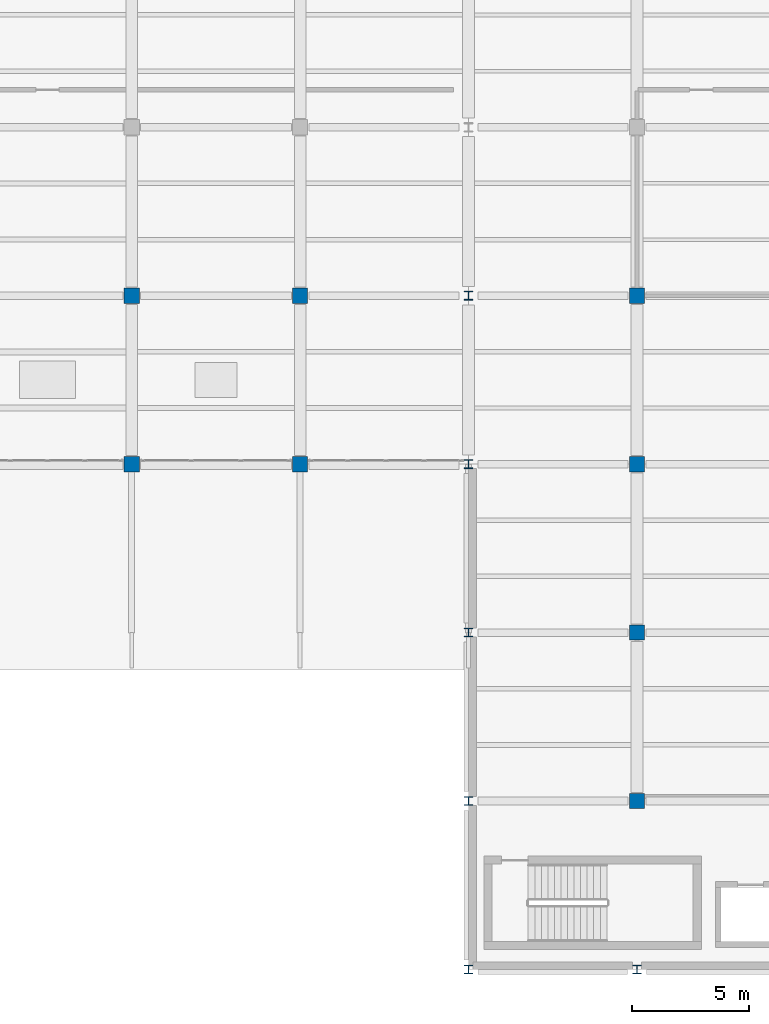
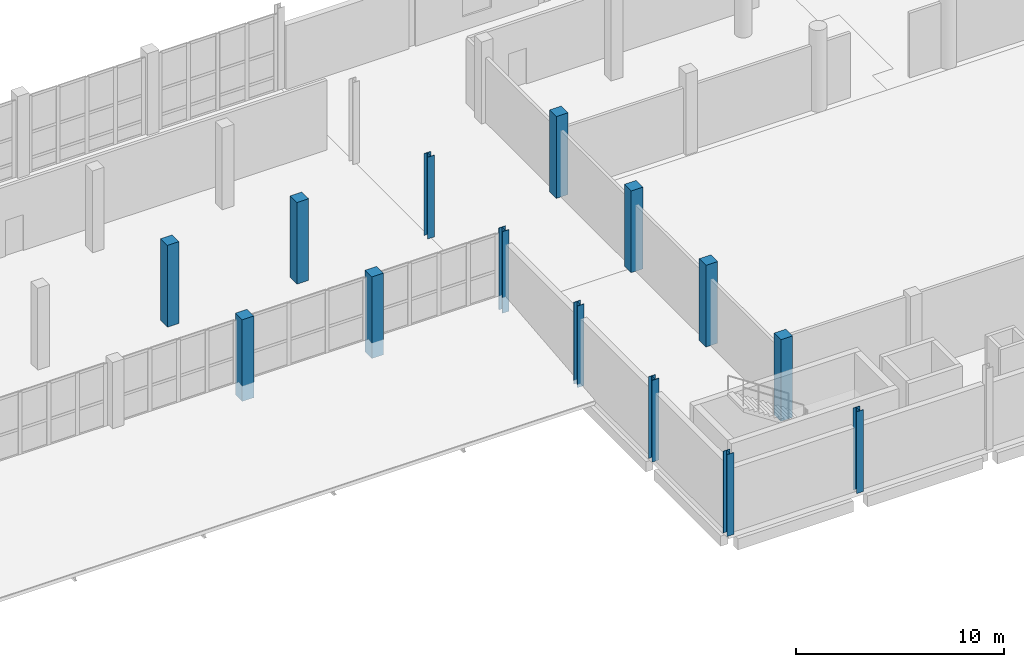
# One storey, part 2 of 127: 14 columns.
"""IFC4 building model written with IfcOpenShell, lengths in metres."""

import ifcopenshell
import ifcopenshell.guid

model = None  # the IFC model being written
_history = None  # IfcOwnerHistory: only IFC2X3 demands one
_inside = {}  # id of a spatial element -> (the spatial element, [elements in it])
_under = {}  # id of a project, library or spatial element -> (it, [spatial elements below it])
_declared = {}  # id of a project -> (the project, [libraries it declares])
_typed = {}  # id of a type object -> (the type object, [elements of that type])
_made_of = {}  # id of a material, layer set ... -> (it, [elements and type objects made of it])


def new_model(schema):
    """Start an empty IFC model of exactly this schema.

    Asked for "IFC4X3", IfcOpenShell would pick the latest addendum, in which some entities
    have other attributes; the version numbers below select the first issue.
    IFC2X3 requires an IfcOwnerHistory on every rooted entity: one is made here for all.
    """
    global model, _history
    if schema == "IFC4X3":
        model = ifcopenshell.file(schema_version=(4, 3, 0, 0))
    else:
        model = ifcopenshell.file(schema=schema)
    _inside.clear()
    _under.clear()
    _declared.clear()
    _typed.clear()
    _made_of.clear()
    _history = None
    if model.schema == "IFC2X3":
        org = make("IfcOrganization", Name="unknown")
        user = make(
            "IfcPersonAndOrganization",
            ThePerson=make("IfcPerson", FamilyName="unknown"),
            TheOrganization=org,
        )
        app = make(
            "IfcApplication",
            ApplicationDeveloper=org,
            Version="unknown",
            ApplicationFullName="unknown",
            ApplicationIdentifier="unknown",
        )
        _history = make(
            "IfcOwnerHistory",
            OwningUser=user,
            OwningApplication=app,
            ChangeAction="ADDED",
            CreationDate=0,
        )
    return model


def make(cls, **values):
    """One entity of the class cls with the attributes given. An attribute that is None is left unset."""
    return model.create_entity(
        cls, **{name: value for name, value in values.items() if value is not None}
    )


def rooted(cls, **values):
    """An entity with a GlobalId (a new one), such as an element, a storey or a relation."""
    return make(cls, GlobalId=ifcopenshell.guid.new(), OwnerHistory=_history, **values)


def si_unit(unit_type, name, prefix=None):
    """IfcSIUnit, for example si_unit("LENGTHUNIT", "METRE", prefix="MILLI")."""
    return make("IfcSIUnit", UnitType=unit_type, Prefix=prefix, Name=name)


def assignment(units):
    """IfcUnitAssignment: the units of a project."""
    return None if units is None else make("IfcUnitAssignment", Units=units)


def point(xyz):
    """IfcCartesianPoint."""
    return None if xyz is None else make("IfcCartesianPoint", Coordinates=xyz)


def direction(xyz):
    """IfcDirection."""
    return None if xyz is None else make("IfcDirection", DirectionRatios=xyz)


def frame(location, z_axis=None, x_axis=None):
    """IfcAxis2Placement3D, a coordinate frame: its origin and axes. An axis left out is left unset."""
    return make(
        "IfcAxis2Placement3D",
        Location=point(location),
        Axis=direction(z_axis),
        RefDirection=direction(x_axis),
    )


def frame_2d(location, x_axis=None):
    """IfcAxis2Placement2D, a coordinate frame in the plane: its origin and x axis."""
    return make(
        "IfcAxis2Placement2D", Location=point(location), RefDirection=direction(x_axis)
    )


def origin():
    """The frame at (0, 0, 0) with its axes left unset."""
    return frame((0.0, 0.0, 0.0))


def origin_2d():
    """The frame at (0, 0) in the plane with its x axis left unset."""
    return frame_2d((0.0, 0.0))


def place(relative_to, where):
    """IfcLocalPlacement: puts the frame where relative to a parent placement (None: the world)."""
    return make(
        "IfcLocalPlacement", PlacementRelTo=relative_to, RelativePlacement=where
    )


def context(
    kind, dimensions, precision=None, world=None, true_north=None, identifier=None
):
    """IfcGeometricRepresentationContext, for example the 3D "Model" context."""
    return make(
        "IfcGeometricRepresentationContext",
        ContextIdentifier=identifier,
        ContextType=kind,
        CoordinateSpaceDimension=dimensions,
        Precision=precision,
        WorldCoordinateSystem=world,
        TrueNorth=true_north,
    )


def subcontext(parent, identifier, kind, view, scale=None):
    """IfcGeometricRepresentationSubContext, for example "Body" below "Model"."""
    return make(
        "IfcGeometricRepresentationSubContext",
        ContextIdentifier=identifier,
        ContextType=kind,
        ParentContext=parent,
        TargetScale=scale,
        TargetView=view,
    )


def project(units=None, contexts=None):
    """IfcProject with its units and contexts."""
    return rooted(
        "IfcProject",
        Name="project",
        RepresentationContexts=contexts,
        UnitsInContext=assignment(units),
    )


def spatial(cls, under=None, at=None, **own):
    """A site, building, storey or space (cls), placed at a placement, below another one or the project."""
    s = rooted(cls, ObjectPlacement=at, **own)
    if under is not None:
        _under.setdefault(under.id(), (under, []))[1].append(s)
    return s


def profile(cls, at=None, kind="AREA", **sizes):
    """A parametric profile (cls). Its sizes go by their IFC names, for example OverallWidth=200.0."""
    return make(cls, ProfileType=kind, Position=at, **sizes)


def rectangle(**sizes):
    """IfcRectangleProfileDef."""
    return profile("IfcRectangleProfileDef", **sizes)


def i_section(**sizes):
    """IfcIShapeProfileDef."""
    return profile("IfcIShapeProfileDef", **sizes)


def extrude(swept, where, along, depth):
    """IfcExtrudedAreaSolid: the profile swept, set in the frame where, extruded along a direction by depth."""
    return make(
        "IfcExtrudedAreaSolid",
        SweptArea=swept,
        Position=where,
        ExtrudedDirection=direction(along),
        Depth=depth,
    )


def shape(context_of_items, identifier, shape_type, items):
    """IfcShapeRepresentation: the items that make up one representation, for example the "Body"."""
    return make(
        "IfcShapeRepresentation",
        ContextOfItems=context_of_items,
        RepresentationIdentifier=identifier,
        RepresentationType=shape_type,
        Items=items,
    )


def material(Name=None, Category=None):
    """IfcMaterial."""
    return make("IfcMaterial", Name=Name, Category=Category)


def material_profile(
    of_material, cross_section, Name=None, Category=None, Priority=None
):
    """IfcMaterialProfile: a cross section and its material."""
    return make(
        "IfcMaterialProfile",
        Name=Name,
        Material=of_material,
        Profile=cross_section,
        Priority=Priority,
        Category=Category,
    )


def profile_set(profiles, Name=None, composite=None):
    """IfcMaterialProfileSet."""
    return make(
        "IfcMaterialProfileSet",
        Name=Name,
        MaterialProfiles=profiles,
        CompositeProfile=composite,
    )


def made_of(thing, what):
    """Note that an element or type object is made of a material, layer set ...; save() writes the relation."""
    if what is not None:
        _made_of.setdefault(what.id(), (what, []))[1].append(thing)
    return thing


def type_object(cls, material=None, **own):
    """A type object (cls), such as IfcWallType, which elements share."""
    return made_of(rooted(cls, **own), material)


def element(
    cls,
    number,
    at=None,
    inside=None,
    cuts=None,
    type_object=None,
    material=None,
    context=None,
    identifier="Body",
    shape_type=None,
    held_by="IfcProductDefinitionShape",
    body=None,
    shapes=None,
    **own,
):
    """One element of the class cls, such as IfcWall. Its Tag is "e" and its number.

    at: its placement. inside: the storey or other place that contains it. cuts: it is an
    opening in that element (IfcRelVoidsElement). A single representation is given by context,
    identifier, shape_type and body (its items); several are given by shapes. held_by: the class
    of the entity that holds the representations. save() writes the other relations.
    """
    e = rooted(cls, Tag="e%d" % number, ObjectPlacement=at, **own)
    if body is not None:
        shapes = [shape(context, identifier, shape_type, body)]
    if shapes is not None:
        e.Representation = make(held_by, Representations=shapes)
    if inside is not None:
        _inside.setdefault(inside.id(), (inside, []))[1].append(e)
    if cuts is not None:
        rooted(
            "IfcRelVoidsElement", RelatingBuildingElement=cuts, RelatedOpeningElement=e
        )
    if type_object is not None:
        _typed.setdefault(type_object.id(), (type_object, []))[1].append(e)
    return made_of(e, material)


def aggregate(whole, parts):
    """IfcRelAggregates: a whole, such as a stair, and the parts it consists of."""
    return rooted("IfcRelAggregates", RelatingObject=whole, RelatedObjects=parts)


def save(model, path):
    """Write the relations noted so far, then the file.

    IfcRelAggregates (storeys below a building ...), IfcRelContainedInSpatialStructure (elements
    in a storey), IfcRelDefinesByType, IfcRelAssociatesMaterial and IfcRelDeclares: one each for
    every whole, place, type object, material and project.
    """
    for whole, parts in _under.values():
        aggregate(whole, parts)
    for where, things in _inside.values():
        rooted(
            "IfcRelContainedInSpatialStructure",
            RelatedElements=things,
            RelatingStructure=where,
        )
    for kind, things in _typed.values():
        rooted("IfcRelDefinesByType", RelatedObjects=things, RelatingType=kind)
    for what, things in _made_of.values():
        rooted("IfcRelAssociatesMaterial", RelatedObjects=things, RelatingMaterial=what)
    for by, libraries in _declared.values():
        rooted("IfcRelDeclares", RelatingContext=by, RelatedDefinitions=libraries)
    model.write(path)


model = new_model("IFC4")

# Units and contexts
model_context = context("Model", 3, precision=1e-05, world=origin(), true_north=direction((0.0, 1.0)))
body_context = subcontext(model_context, "Body", "Model", "MODEL_VIEW")
ifc_project = project(units=[si_unit("LENGTHUNIT", "METRE"), si_unit("AREAUNIT", "SQUARE_METRE"), si_unit("VOLUMEUNIT", "CUBIC_METRE"), si_unit("PLANEANGLEUNIT", "RADIAN"), si_unit("MASSUNIT", "GRAM", prefix="KILO")], contexts=[model_context])

# Site, building, storey
site_placement = place(None, origin())
site = spatial("IfcSite", under=ifc_project, at=site_placement, CompositionType="ELEMENT")
building_placement = place(site_placement, origin())
building = spatial("IfcBuilding", under=site, at=building_placement, Name="Kalmorath City Hall", CompositionType="ELEMENT")
storey_placement = place(building_placement, frame((0.0, 0.0, 5.39990234375)))
storey = spatial("IfcBuildingStorey", under=building, at=storey_placement, Name="L01", CompositionType="ELEMENT", Elevation=5.39990234375)

# Columns
ifc_material_1 = material(Name="Concrete C50/60", Category="concrete")
ifc_material_profile_1 = material_profile(ifc_material_1, rectangle(XDim=0.64990234375, YDim=0.64990234375, at=origin_2d()), Name="RC-COL-650X650")
ifc_profile_set_1 = profile_set([ifc_material_profile_1], Name="Concrete C50/60")
column_type_1 = type_object("IfcColumnType", Name="Concrete column 650x650", PredefinedType="COLUMN", material=ifc_profile_set_1)
for number, where, z_axis, x_axis, name in (
    (1, (100.800048828125, 21.60009765625, 0.0), (0.0, 0.0, 1.0), (1.0, 0.0, 0.0), "L01 column C5 (15/4)"),
    (2, (100.800048828125, 28.800048828125, 0.0), (0.0, 0.0, 1.0), (1.0, 0.0, 0.0), "L01 column C5 (15/5)"),
    (3, (108.0, 21.60009765625, 0.0), (0.0, 0.0, 1.0), (1.0, 0.0, 0.0), "L01 column C5 (16/4)"),
    (4, (108.0, 28.800048828125, 0.0), (0.0, 0.0, 1.0), (1.0, 0.0, 0.0), "L01 column C5 (16/5)"),
    (5, (122.39990234375, 7.199951171875, 0.0), (0.0, 0.0, 1.0), (1.0, 0.0, 0.0), "L01 column C5 (18/2)"),
    (6, (122.39990234375, 14.39990234375, 0.0), (0.0, 0.0, 1.0), (1.0, 0.0, 0.0), "L01 column C5 (18/3)"),
    (7, (122.39990234375, 21.60009765625, 0.0), (0.0, 0.0, 1.0), (1.0, 0.0, 0.0), "L01 column C5 (18/4)"),
    (8, (122.39990234375, 28.800048828125, 0.0), (0.0, 0.0, 1.0), (1.0, 0.0, 0.0), "L01 column C5 (18/5)"),
):
    element("IfcColumn", number, at=place(storey_placement, frame(where, z_axis=z_axis, x_axis=x_axis)), inside=storey, type_object=column_type_1, Name=name, PredefinedType="COLUMN", context=body_context, shape_type="SweptSolid", body=[
        extrude(rectangle(XDim=0.64990234375, YDim=0.64990234375, at=origin_2d()), origin(), (0.0, 0.0, 1.0), 4.800048828125),
    ])
ifc_material_2 = material(Name="Steel ASTM A992 Grade 50", Category="steel")
ifc_material_profile_2 = material_profile(ifc_material_2, i_section(OverallWidth=0.3740234375, OverallDepth=0.3720703125, WebThickness=0.016357421875, FlangeThickness=0.026123046875, FilletRadius=0.01806640625, at=origin_2d()), Name="W14X132")
ifc_profile_set_2 = profile_set([ifc_material_profile_2], Name="Steel ASTM A992 Grade 50")
column_type_2 = type_object("IfcColumnType", Name="Steel wide-flange column W14X132", PredefinedType="COLUMN", material=ifc_profile_set_2)
for number, where, z_axis, x_axis, name in (
    (9, (115.199951171875, 0.0, 0.0), (0.0, 0.0, 1.0), (1.0, 0.0, 0.0), "L01 column SC2 (17/1)"),
    (10, (115.199951171875, 7.199951171875, 0.0), (0.0, 0.0, 1.0), (1.0, 0.0, 0.0), "L01 column SC2 (17/2)"),
    (11, (115.199951171875, 14.39990234375, 0.0), (0.0, 0.0, 1.0), (1.0, 0.0, 0.0), "L01 column SC2 (17/3)"),
    (12, (115.199951171875, 21.60009765625, 0.0), (0.0, 0.0, 1.0), (1.0, 0.0, 0.0), "L01 column SC2 (17/4)"),
    (13, (115.199951171875, 28.800048828125, 0.0), (0.0, 0.0, 1.0), (1.0, 0.0, 0.0), "L01 column SC2 (17/5)"),
    (14, (122.39990234375, 0.0, 0.0), (0.0, 0.0, 1.0), (1.0, 0.0, 0.0), "L01 column SC2 (18/1)"),
):
    element("IfcColumn", number, at=place(storey_placement, frame(where, z_axis=z_axis, x_axis=x_axis)), inside=storey, type_object=column_type_2, Name=name, PredefinedType="COLUMN", context=body_context, shape_type="SweptSolid", body=[
        extrude(i_section(OverallWidth=0.3740234375, OverallDepth=0.3720703125, WebThickness=0.016357421875, FlangeThickness=0.026123046875, FilletRadius=0.01806640625, at=origin_2d()), origin(), (0.0, 0.0, 1.0), 4.800048828125),
    ])

save(model, "model.ifc")
